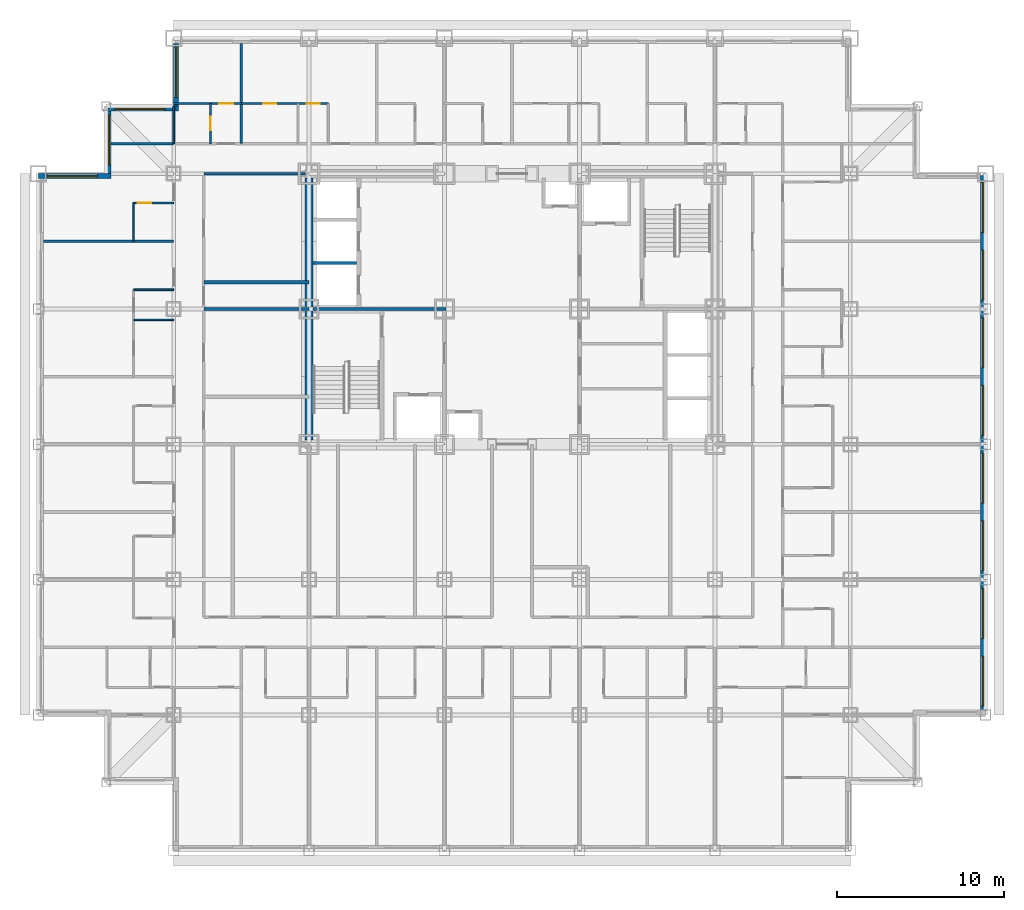
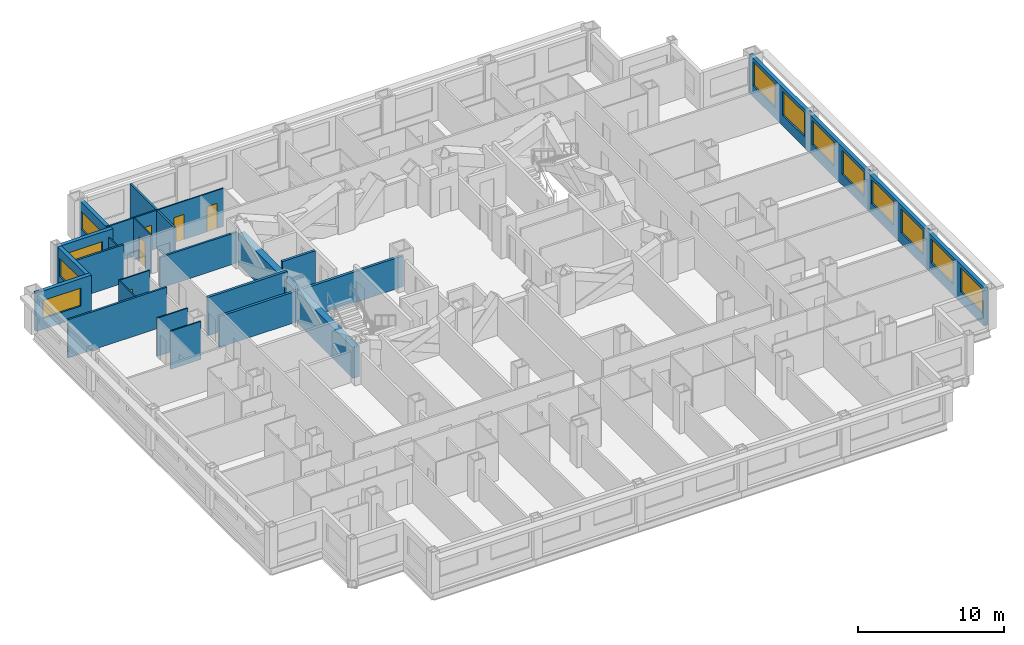
# One storey, part 8 of 12: 22 walls, 12 windows, 5 doors, 17 openings.
"""IFC4 building model written with IfcOpenShell, lengths in metres."""

import ifcopenshell
import ifcopenshell.guid

model = None  # the IFC model being written
_history = None  # IfcOwnerHistory: only IFC2X3 demands one
_inside = {}  # id of a spatial element -> (the spatial element, [elements in it])
_under = {}  # id of a project, library or spatial element -> (it, [spatial elements below it])
_declared = {}  # id of a project -> (the project, [libraries it declares])
_typed = {}  # id of a type object -> (the type object, [elements of that type])
_made_of = {}  # id of a material, layer set ... -> (it, [elements and type objects made of it])


def new_model(schema):
    """Start an empty IFC model of exactly this schema.

    Asked for "IFC4X3", IfcOpenShell would pick the latest addendum, in which some entities
    have other attributes; the version numbers below select the first issue.
    IFC2X3 requires an IfcOwnerHistory on every rooted entity: one is made here for all.
    """
    global model, _history
    if schema == "IFC4X3":
        model = ifcopenshell.file(schema_version=(4, 3, 0, 0))
    else:
        model = ifcopenshell.file(schema=schema)
    _inside.clear()
    _under.clear()
    _declared.clear()
    _typed.clear()
    _made_of.clear()
    _history = None
    if model.schema == "IFC2X3":
        org = make("IfcOrganization", Name="unknown")
        user = make(
            "IfcPersonAndOrganization",
            ThePerson=make("IfcPerson", FamilyName="unknown"),
            TheOrganization=org,
        )
        app = make(
            "IfcApplication",
            ApplicationDeveloper=org,
            Version="unknown",
            ApplicationFullName="unknown",
            ApplicationIdentifier="unknown",
        )
        _history = make(
            "IfcOwnerHistory",
            OwningUser=user,
            OwningApplication=app,
            ChangeAction="ADDED",
            CreationDate=0,
        )
    return model


def make(cls, **values):
    """One entity of the class cls with the attributes given. An attribute that is None is left unset."""
    return model.create_entity(
        cls, **{name: value for name, value in values.items() if value is not None}
    )


def rooted(cls, **values):
    """An entity with a GlobalId (a new one), such as an element, a storey or a relation."""
    return make(cls, GlobalId=ifcopenshell.guid.new(), OwnerHistory=_history, **values)


def si_unit(unit_type, name, prefix=None):
    """IfcSIUnit, for example si_unit("LENGTHUNIT", "METRE", prefix="MILLI")."""
    return make("IfcSIUnit", UnitType=unit_type, Prefix=prefix, Name=name)


def assignment(units):
    """IfcUnitAssignment: the units of a project."""
    return None if units is None else make("IfcUnitAssignment", Units=units)


def point(xyz):
    """IfcCartesianPoint."""
    return None if xyz is None else make("IfcCartesianPoint", Coordinates=xyz)


def direction(xyz):
    """IfcDirection."""
    return None if xyz is None else make("IfcDirection", DirectionRatios=xyz)


def frame(location, z_axis=None, x_axis=None):
    """IfcAxis2Placement3D, a coordinate frame: its origin and axes. An axis left out is left unset."""
    return make(
        "IfcAxis2Placement3D",
        Location=point(location),
        Axis=direction(z_axis),
        RefDirection=direction(x_axis),
    )


def frame_2d(location, x_axis=None):
    """IfcAxis2Placement2D, a coordinate frame in the plane: its origin and x axis."""
    return make(
        "IfcAxis2Placement2D", Location=point(location), RefDirection=direction(x_axis)
    )


def origin():
    """The frame at (0, 0, 0) with its axes left unset."""
    return frame((0.0, 0.0, 0.0))


def place(relative_to, where):
    """IfcLocalPlacement: puts the frame where relative to a parent placement (None: the world)."""
    return make(
        "IfcLocalPlacement", PlacementRelTo=relative_to, RelativePlacement=where
    )


def context(
    kind, dimensions, precision=None, world=None, true_north=None, identifier=None
):
    """IfcGeometricRepresentationContext, for example the 3D "Model" context."""
    return make(
        "IfcGeometricRepresentationContext",
        ContextIdentifier=identifier,
        ContextType=kind,
        CoordinateSpaceDimension=dimensions,
        Precision=precision,
        WorldCoordinateSystem=world,
        TrueNorth=true_north,
    )


def subcontext(parent, identifier, kind, view, scale=None):
    """IfcGeometricRepresentationSubContext, for example "Body" below "Model"."""
    return make(
        "IfcGeometricRepresentationSubContext",
        ContextIdentifier=identifier,
        ContextType=kind,
        ParentContext=parent,
        TargetScale=scale,
        TargetView=view,
    )


def project(units=None, contexts=None):
    """IfcProject with its units and contexts."""
    return rooted(
        "IfcProject",
        Name="project",
        RepresentationContexts=contexts,
        UnitsInContext=assignment(units),
    )


def spatial(cls, under=None, at=None, **own):
    """A site, building, storey or space (cls), placed at a placement, below another one or the project."""
    s = rooted(cls, ObjectPlacement=at, **own)
    if under is not None:
        _under.setdefault(under.id(), (under, []))[1].append(s)
    return s


def profile(cls, at=None, kind="AREA", **sizes):
    """A parametric profile (cls). Its sizes go by their IFC names, for example OverallWidth=200.0."""
    return make(cls, ProfileType=kind, Position=at, **sizes)


def rectangle(**sizes):
    """IfcRectangleProfileDef."""
    return profile("IfcRectangleProfileDef", **sizes)


def extrude(swept, where, along, depth):
    """IfcExtrudedAreaSolid: the profile swept, set in the frame where, extruded along a direction by depth."""
    return make(
        "IfcExtrudedAreaSolid",
        SweptArea=swept,
        Position=where,
        ExtrudedDirection=direction(along),
        Depth=depth,
    )


def shape(context_of_items, identifier, shape_type, items):
    """IfcShapeRepresentation: the items that make up one representation, for example the "Body"."""
    return make(
        "IfcShapeRepresentation",
        ContextOfItems=context_of_items,
        RepresentationIdentifier=identifier,
        RepresentationType=shape_type,
        Items=items,
    )


def material(Name=None, Category=None):
    """IfcMaterial."""
    return make("IfcMaterial", Name=Name, Category=Category)


def layer(
    of_material, thickness, ventilated=None, Name=None, Category=None, Priority=None
):
    """IfcMaterialLayer: one layer of a wall or slab, of a material (None: an air gap)."""
    return make(
        "IfcMaterialLayer",
        Material=of_material,
        LayerThickness=thickness,
        IsVentilated=ventilated,
        Name=Name,
        Category=Category,
        Priority=Priority,
    )


def layer_set(layers, Name=None):
    """IfcMaterialLayerSet."""
    return make("IfcMaterialLayerSet", MaterialLayers=layers, LayerSetName=Name)


def made_of(thing, what):
    """Note that an element or type object is made of a material, layer set ...; save() writes the relation."""
    if what is not None:
        _made_of.setdefault(what.id(), (what, []))[1].append(thing)
    return thing


def type_object(cls, material=None, **own):
    """A type object (cls), such as IfcWallType, which elements share."""
    return made_of(rooted(cls, **own), material)


def element(
    cls,
    number,
    at=None,
    inside=None,
    cuts=None,
    type_object=None,
    material=None,
    context=None,
    identifier="Body",
    shape_type=None,
    held_by="IfcProductDefinitionShape",
    body=None,
    shapes=None,
    **own,
):
    """One element of the class cls, such as IfcWall. Its Tag is "e" and its number.

    at: its placement. inside: the storey or other place that contains it. cuts: it is an
    opening in that element (IfcRelVoidsElement). A single representation is given by context,
    identifier, shape_type and body (its items); several are given by shapes. held_by: the class
    of the entity that holds the representations. save() writes the other relations.
    """
    e = rooted(cls, Tag="e%d" % number, ObjectPlacement=at, **own)
    if body is not None:
        shapes = [shape(context, identifier, shape_type, body)]
    if shapes is not None:
        e.Representation = make(held_by, Representations=shapes)
    if inside is not None:
        _inside.setdefault(inside.id(), (inside, []))[1].append(e)
    if cuts is not None:
        rooted(
            "IfcRelVoidsElement", RelatingBuildingElement=cuts, RelatedOpeningElement=e
        )
    if type_object is not None:
        _typed.setdefault(type_object.id(), (type_object, []))[1].append(e)
    return made_of(e, material)


def fill(opening, filler):
    """IfcRelFillsElement: the door or window that sits in an opening."""
    return rooted(
        "IfcRelFillsElement",
        RelatingOpeningElement=opening,
        RelatedBuildingElement=filler,
    )


def aggregate(whole, parts):
    """IfcRelAggregates: a whole, such as a stair, and the parts it consists of."""
    return rooted("IfcRelAggregates", RelatingObject=whole, RelatedObjects=parts)


def save(model, path):
    """Write the relations noted so far, then the file.

    IfcRelAggregates (storeys below a building ...), IfcRelContainedInSpatialStructure (elements
    in a storey), IfcRelDefinesByType, IfcRelAssociatesMaterial and IfcRelDeclares: one each for
    every whole, place, type object, material and project.
    """
    for whole, parts in _under.values():
        aggregate(whole, parts)
    for where, things in _inside.values():
        rooted(
            "IfcRelContainedInSpatialStructure",
            RelatedElements=things,
            RelatingStructure=where,
        )
    for kind, things in _typed.values():
        rooted("IfcRelDefinesByType", RelatedObjects=things, RelatingType=kind)
    for what, things in _made_of.values():
        rooted("IfcRelAssociatesMaterial", RelatedObjects=things, RelatingMaterial=what)
    for by, libraries in _declared.values():
        rooted("IfcRelDeclares", RelatingContext=by, RelatedDefinitions=libraries)
    model.write(path)


model = new_model("IFC4")

# Units and contexts
model_context = context("Model", 3, precision=1e-05, world=origin(), true_north=direction((0.0, 1.0)))
body_context = subcontext(model_context, "Body", "Model", "MODEL_VIEW")
ifc_project = project(units=[si_unit("LENGTHUNIT", "METRE"), si_unit("AREAUNIT", "SQUARE_METRE"), si_unit("VOLUMEUNIT", "CUBIC_METRE"), si_unit("PLANEANGLEUNIT", "RADIAN"), si_unit("MASSUNIT", "GRAM", prefix="KILO")], contexts=[model_context])

# Site, building, storey
site_placement = place(None, origin())
site = spatial("IfcSite", under=ifc_project, at=site_placement, CompositionType="ELEMENT")
building_placement = place(site_placement, origin())
building = spatial("IfcBuilding", under=site, at=building_placement, Name="Kopane Lantern Tower", CompositionType="ELEMENT")
storey_placement = place(building_placement, frame((0.0, 0.0, 70.39990234375)))
storey = spatial("IfcBuildingStorey", under=building, at=storey_placement, Name="L17", CompositionType="ELEMENT", Elevation=70.39990234375)

# Wall, opening, door
ifc_material_1 = material(Name="Gypsum board on steel studs", Category="steel")
ifc_layer_1 = layer(ifc_material_1, 0.1201171875)
ifc_layer_set_1 = layer_set([ifc_layer_1], Name="APARTMENT INTERNAL WALL 120")
wall_type_1 = type_object("IfcWallType", Name="APARTMENT INTERNAL WALL 120", PredefinedType="PARTITIONING", material=ifc_layer_set_1)
wall_1_placement = place(storey_placement, frame((8.10009765625, 44.699951171875, 0.0), z_axis=(0.0, 0.0, 1.0), x_axis=(1.0, 0.0, 0.0)))
wall_1 = element("IfcWall", 1, at=wall_1_placement, inside=storey, type_object=wall_type_1, Name="Apartment Internal Wall 120 L17", PredefinedType="PARTITIONING", context=body_context, shape_type="SweptSolid", body=[
    extrude(rectangle(XDim=4.0498046875, YDim=0.1201171875, at=frame_2d((2.02490234375, 0.0))), origin(), (0.0, 0.0, 1.0), 3.190185546875),
])
opening_1_placement = place(wall_1_placement, frame((2.72509765625, 0.0, 0.0)))
opening_1 = element("IfcOpeningElement", 2, at=opening_1_placement, cuts=wall_1, Name="Opening L17-082", PredefinedType="OPENING", context=body_context, shape_type="SweptSolid", body=[
    extrude(rectangle(XDim=0.85009765625, YDim=2.10009765625, at=frame_2d((0.425048828125, 1.050048828125))), frame((0.0, 0.070068359375, 0.0), z_axis=(0.0, -1.0, 0.0), x_axis=(1.0, 0.0, 0.0)), (0.0, 0.0, 1.0), 0.14013671875),
])
ifc_material_2 = material(Name="Timber door set", Category="wood")
door_type_1 = type_object("IfcDoorType", Name="DOOR D4 850x2100", OperationType="SINGLE_SWING_LEFT", PredefinedType="DOOR", material=ifc_material_2)
door_1_placement = place(opening_1_placement, origin())
door_1 = element("IfcDoor", 3, at=door_1_placement, inside=storey, type_object=door_type_1, Name="Door L17-082", OperationType="SINGLE_SWING_LEFT", OverallHeight=2.10009765625, OverallWidth=0.85009765625, PredefinedType="DOOR", context=body_context, shape_type="SweptSolid", body=[
    extrude(rectangle(XDim=0.85009765625, YDim=2.10009765625, at=frame_2d((0.425048828125, 1.050048828125))), frame((0.0, 0.02490234375, 0.0), z_axis=(0.0, -1.0, 0.0), x_axis=(1.0, 0.0, 0.0)), (0.0, 0.0, 1.0), 0.050048828125),
])
fill(opening_1, door_1)

# Wall, openings, doors
ifc_material_3 = material(Name="Moisture-resistant board on steel studs", Category="steel")
ifc_layer_2 = layer(ifc_material_3, 0.10009765625)
ifc_layer_set_2 = layer_set([ifc_layer_2], Name="BATHROOM WALL 100")
wall_type_2 = type_object("IfcWallType", Name="BATHROOM WALL 100", PredefinedType="PARTITIONING", material=ifc_layer_set_2)
wall_2_placement = place(storey_placement, frame((12.14990234375, 44.699951171875, 0.0), z_axis=(0.0, 0.0, 1.0), x_axis=(1.0, 0.0, 0.0)))
wall_2 = element("IfcWall", 4, at=wall_2_placement, inside=storey, type_object=wall_type_2, Name="Bathroom Wall 100 L17", PredefinedType="PARTITIONING", context=body_context, shape_type="SweptSolid", body=[
    extrude(rectangle(XDim=5.2001953125, YDim=0.10009765625, at=frame_2d((2.60009765625, 0.0))), origin(), (0.0, 0.0, 1.0), 3.190185546875),
])
opening_2_placement = place(wall_2_placement, frame((1.300048828125, 0.0, 0.0)))
opening_2 = element("IfcOpeningElement", 5, at=opening_2_placement, cuts=wall_2, Name="Opening L17-029", PredefinedType="OPENING", context=body_context, shape_type="SweptSolid", body=[
    extrude(rectangle(XDim=0.800048828125, YDim=2.10009765625, at=frame_2d((0.39990234375, 1.050048828125))), frame((0.0, 0.06005859375, 0.0), z_axis=(0.0, -1.0, 0.0), x_axis=(1.0, 0.0, 0.0)), (0.0, 0.0, 1.0), 0.1201171875),
])
opening_3_placement = place(wall_2_placement, frame((3.89990234375, 0.0, 0.0)))
opening_3 = element("IfcOpeningElement", 6, at=opening_3_placement, cuts=wall_2, Name="Opening L17-030", PredefinedType="OPENING", context=body_context, shape_type="SweptSolid", body=[
    extrude(rectangle(XDim=0.800048828125, YDim=2.10009765625, at=frame_2d((0.39990234375, 1.050048828125))), frame((0.0, 0.06005859375, 0.0), z_axis=(0.0, -1.0, 0.0), x_axis=(1.0, 0.0, 0.0)), (0.0, 0.0, 1.0), 0.1201171875),
])
ifc_material_4 = material(Name="Timber door set", Category="wood")
door_type_2 = type_object("IfcDoorType", Name="DOOR D2 800x2100", OperationType="SINGLE_SWING_LEFT", PredefinedType="DOOR", material=ifc_material_4)
door_2_placement = place(opening_2_placement, origin())
door_2 = element("IfcDoor", 7, at=door_2_placement, inside=storey, type_object=door_type_2, Name="Door L17-029", OperationType="SINGLE_SWING_LEFT", OverallHeight=2.10009765625, OverallWidth=0.800048828125, PredefinedType="DOOR", context=body_context, shape_type="SweptSolid", body=[
    extrude(rectangle(XDim=0.800048828125, YDim=2.10009765625, at=frame_2d((0.39990234375, 1.050048828125))), frame((0.0, 0.02490234375, 0.0), z_axis=(0.0, -1.0, 0.0), x_axis=(1.0, 0.0, 0.0)), (0.0, 0.0, 1.0), 0.050048828125),
])
fill(opening_2, door_2)
door_3_placement = place(opening_3_placement, origin())
door_3 = element("IfcDoor", 8, at=door_3_placement, inside=storey, type_object=door_type_2, Name="Door L17-030", OperationType="SINGLE_SWING_LEFT", OverallHeight=2.10009765625, OverallWidth=0.800048828125, PredefinedType="DOOR", context=body_context, shape_type="SweptSolid", body=[
    extrude(rectangle(XDim=0.800048828125, YDim=2.10009765625, at=frame_2d((0.39990234375, 1.050048828125))), frame((0.0, 0.02490234375, 0.0), z_axis=(0.0, -1.0, 0.0), x_axis=(1.0, 0.0, 0.0)), (0.0, 0.0, 1.0), 0.050048828125),
])
fill(opening_3, door_3)

# Walls
for number, where, z_axis, x_axis, name in (
    (9, (8.10009765625, 31.75, 0.0), (0.0, 0.0, 1.0), (-1.0, 0.0, 0.0), "Bathroom Wall 100 L17"),
    (10, (8.10009765625, 33.550048828125, 0.0), (0.0, 0.0, 1.0), (-1.0, 0.0, 0.0), "Bathroom Wall 100 L17"),
):
    element("IfcWall", number, at=place(storey_placement, frame(where, z_axis=z_axis, x_axis=x_axis)), inside=storey, type_object=wall_type_2, Name=name, PredefinedType="PARTITIONING", context=body_context, shape_type="SweptSolid", body=[
        extrude(rectangle(XDim=2.400146484375, YDim=0.10009765625, at=frame_2d((1.2001953125, 0.0))), origin(), (0.0, 0.0, 1.0), 3.190185546875),
    ])
wall_3_placement = place(storey_placement, frame((5.699951171875, 36.449951171875, 0.0), z_axis=(0.0, 0.0, 1.0), x_axis=(0.0, 1.0, 0.0)))
element("IfcWall", 11, at=wall_3_placement, inside=storey, type_object=wall_type_2, Name="Bathroom Wall 100 L17", PredefinedType="PARTITIONING", context=body_context, shape_type="SweptSolid", body=[
    extrude(rectangle(XDim=2.300048828125, YDim=0.10009765625, at=frame_2d((1.14990234375, 0.0))), origin(), (0.0, 0.0, 1.0), 3.190185546875),
])

# Wall, opening, door
wall_4_placement = place(storey_placement, frame((8.10009765625, 38.75, 0.0), z_axis=(0.0, 0.0, 1.0), x_axis=(-1.0, 0.0, 0.0)))
wall_4 = element("IfcWall", 12, at=wall_4_placement, inside=storey, type_object=wall_type_2, Name="Bathroom Wall 100 L17", PredefinedType="PARTITIONING", context=body_context, shape_type="SweptSolid", body=[
    extrude(rectangle(XDim=2.400146484375, YDim=0.10009765625, at=frame_2d((1.2001953125, 0.0))), origin(), (0.0, 0.0, 1.0), 3.190185546875),
])
opening_4_placement = place(wall_4_placement, frame((1.35009765625, 0.0, 0.0)))
opening_4 = element("IfcOpeningElement", 13, at=opening_4_placement, cuts=wall_4, Name="Opening L17-052", PredefinedType="OPENING", context=body_context, shape_type="SweptSolid", body=[
    extrude(rectangle(XDim=0.800048828125, YDim=2.10009765625, at=frame_2d((0.39990234375, 1.050048828125))), frame((0.0, 0.06005859375, 0.0), z_axis=(0.0, -1.0, 0.0), x_axis=(1.0, 0.0, 0.0)), (0.0, 0.0, 1.0), 0.1201171875),
])
door_4_placement = place(opening_4_placement, origin())
door_4 = element("IfcDoor", 14, at=door_4_placement, inside=storey, type_object=door_type_2, Name="Door L17-052", OperationType="SINGLE_SWING_RIGHT", OverallHeight=2.10009765625, OverallWidth=0.800048828125, PredefinedType="DOOR", context=body_context, shape_type="SweptSolid", body=[
    extrude(rectangle(XDim=0.800048828125, YDim=2.10009765625, at=frame_2d((0.39990234375, 1.050048828125))), frame((0.0, 0.02490234375, 0.0), z_axis=(0.0, -1.0, 0.0), x_axis=(1.0, 0.0, 0.0)), (0.0, 0.0, 1.0), 0.050048828125),
])
fill(opening_4, door_4)

wall_5_placement = place(storey_placement, frame((10.300048828125, 42.300048828125, 0.0), z_axis=(0.0, 0.0, 1.0), x_axis=(0.0, 1.0, 0.0)))
wall_5 = element("IfcWall", 15, at=wall_5_placement, inside=storey, type_object=wall_type_2, Name="Bathroom Wall 100 L17", PredefinedType="PARTITIONING", context=body_context, shape_type="SweptSolid", body=[
    extrude(rectangle(XDim=2.39990234375, YDim=0.10009765625, at=frame_2d((1.199951171875, 0.0))), origin(), (0.0, 0.0, 1.0), 3.190185546875),
])
opening_5_placement = place(wall_5_placement, frame((0.800048828125, 0.0, 0.0)))
opening_5 = element("IfcOpeningElement", 16, at=opening_5_placement, cuts=wall_5, Name="Opening L17-080", PredefinedType="OPENING", context=body_context, shape_type="SweptSolid", body=[
    extrude(rectangle(XDim=0.800048828125, YDim=2.10009765625, at=frame_2d((0.39990234375, 1.050048828125))), frame((0.0, 0.06005859375, 0.0), z_axis=(0.0, -1.0, 0.0), x_axis=(1.0, 0.0, 0.0)), (0.0, 0.0, 1.0), 0.1201171875),
])
door_5_placement = place(opening_5_placement, origin())
door_5 = element("IfcDoor", 17, at=door_5_placement, inside=storey, type_object=door_type_2, Name="Door L17-080", OperationType="SINGLE_SWING_LEFT", OverallHeight=2.10009765625, OverallWidth=0.800048828125, PredefinedType="DOOR", context=body_context, shape_type="SweptSolid", body=[
    extrude(rectangle(XDim=0.800048828125, YDim=2.10009765625, at=frame_2d((0.39990234375, 1.050048828125))), frame((0.0, 0.02490234375, 0.0), z_axis=(0.0, -1.0, 0.0), x_axis=(1.0, 0.0, 0.0)), (0.0, 0.0, 1.0), 0.050048828125),
])
fill(opening_5, door_5)

# Walls
wall_6_placement = place(storey_placement, frame((8.10009765625, 42.300048828125, 0.0), z_axis=(0.0, 0.0, 1.0), x_axis=(0.0, 1.0, 0.0)))
element("IfcWall", 18, at=wall_6_placement, inside=storey, type_object=wall_type_2, Name="Bathroom Wall 100 L17", PredefinedType="PARTITIONING", context=body_context, shape_type="SweptSolid", body=[
    extrude(rectangle(XDim=2.25, YDim=0.10009765625, at=frame_2d((1.125, 0.0))), origin(), (0.0, 0.0, 1.0), 2.577880859375),
])
ifc_material_5 = material(Name="Gypsum shaft wall EI 120", Category="gypsum")
ifc_layer_3 = layer(ifc_material_5, 0.5)
ifc_layer_set_3 = layer_set([ifc_layer_3], Name="CORE PERIMETER WALL 500 EI 120")
wall_type_3 = type_object("IfcWallType", Name="CORE PERIMETER WALL 500 EI 120", PredefinedType="SOLIDWALL", material=ifc_layer_set_3)
wall_7_placement = place(storey_placement, frame((16.199951171875, 24.550048828125, 0.0), z_axis=(0.0, 0.0, 1.0), x_axis=(0.0, 1.0, 0.0)))
element("IfcWall", 19, at=wall_7_placement, inside=storey, type_object=wall_type_3, Name="Core shaft wall L17 PW", PredefinedType="SOLIDWALL", context=body_context, shape_type="SweptSolid", body=[
    extrude(rectangle(XDim=15.699951171875, YDim=0.5, at=frame_2d((7.85009765625, 0.0))), origin(), (0.0, 0.0, 1.0), 2.577880859375),
])
ifc_material_6 = material(Name="Gypsum board on steel studs", Category="steel")
ifc_layer_4 = layer(ifc_material_6, 0.14990234375)
ifc_layer_set_4 = layer_set([ifc_layer_4], Name="CORRIDOR WALL 150 EI 60")
wall_type_4 = type_object("IfcWallType", Name="CORRIDOR WALL 150 EI 60", PredefinedType="PARTITIONING", material=ifc_layer_set_4)
wall_8_placement = place(storey_placement, frame((16.0, 40.5, 0.0), z_axis=(0.0, 0.0, 1.0), x_axis=(-1.0, 0.0, 0.0)))
element("IfcWall", 20, at=wall_8_placement, inside=storey, type_object=wall_type_4, Name="Corridor Wall 150 Ei 60 L17", PredefinedType="PARTITIONING", context=body_context, shape_type="SweptSolid", body=[
    extrude(rectangle(XDim=6.10009765625, YDim=0.14990234375, at=frame_2d((3.050048828125, 0.0))), origin(), (0.0, 0.0, 1.0), 2.577880859375),
])
ifc_material_7 = material(Name="Gypsum board on steel studs", Category="steel")
ifc_layer_5 = layer(ifc_material_7, 0.14990234375)
ifc_layer_set_5 = layer_set([ifc_layer_5], Name="DEMISING WALL 150 EI 60")
wall_type_5 = type_object("IfcWallType", Name="DEMISING WALL 150 EI 60", PredefinedType="PARTITIONING", material=ifc_layer_set_5)
wall_9_placement = place(storey_placement, frame((8.10009765625, 36.449951171875, 0.0), z_axis=(0.0, 0.0, 1.0), x_axis=(-1.0, 0.0, 0.0)))
element("IfcWall", 21, at=wall_9_placement, inside=storey, type_object=wall_type_5, Name="Demising Wall 150 Ei 60 L17", PredefinedType="PARTITIONING", context=body_context, shape_type="SweptSolid", body=[
    extrude(rectangle(XDim=7.800048828125, YDim=0.14990234375, at=frame_2d((3.89990234375, 0.0))), origin(), (0.0, 0.0, 1.0), 3.190185546875),
])
wall_10_placement = place(storey_placement, frame((4.35009765625, 42.300048828125, 0.0), z_axis=(0.0, 0.0, 1.0), x_axis=(1.0, 0.0, 0.0)))
element("IfcWall", 22, at=wall_10_placement, inside=storey, type_object=wall_type_5, Name="Demising Wall 150 Ei 60 L17", PredefinedType="PARTITIONING", context=body_context, shape_type="SweptSolid", body=[
    extrude(rectangle(XDim=3.75, YDim=0.14990234375, at=frame_2d((1.875, 0.0))), origin(), (0.0, 0.0, 1.0), 3.190185546875),
])
wall_11_placement = place(storey_placement, frame((12.14990234375, 42.300048828125, 0.0), z_axis=(0.0, 0.0, 1.0), x_axis=(0.0, 1.0, 0.0)))
element("IfcWall", 23, at=wall_11_placement, inside=storey, type_object=wall_type_5, Name="Demising Wall 150 Ei 60 L17", PredefinedType="PARTITIONING", context=body_context, shape_type="SweptSolid", body=[
    extrude(rectangle(XDim=6.0, YDim=0.14990234375, at=frame_2d((3.0, 0.0))), origin(), (0.0, 0.0, 1.0), 3.190185546875),
])

# Wall, openings, windows
ifc_material_8 = material(Name="Terracotta rainscreen on light steel framing", Category="masonry")
ifc_layer_6 = layer(ifc_material_8, 0.300048828125)
ifc_layer_set_6 = layer_set([ifc_layer_6], Name="EXTERNAL WALL EW1 300 TERRACOTTA")
wall_type_6 = type_object("IfcWallType", Name="EXTERNAL WALL EW1 300 TERRACOTTA", PredefinedType="SOLIDWALL", material=ifc_layer_set_6)
wall_12_placement = place(storey_placement, frame((56.550048828125, 8.39990234375, 0.0), z_axis=(0.0, 0.0, 1.0), x_axis=(0.0, 1.0, 0.0)))
wall_12 = element("IfcWall", 24, at=wall_12_placement, inside=storey, type_object=wall_type_6, Name="External wall E L17", PredefinedType="SOLIDWALL", context=body_context, shape_type="SweptSolid", body=[
    extrude(rectangle(XDim=32.10009765625, YDim=0.300048828125, at=frame_2d((16.050048828125, 0.0))), origin(), (0.0, 0.0, 1.0), 3.190185546875),
])
opening_6_placement = place(wall_12_placement, frame((0.22509765625, 0.0, 0.89990234375)))
opening_6 = element("IfcOpeningElement", 25, at=opening_6_placement, cuts=wall_12, Name="Opening WR300200", PredefinedType="OPENING", context=body_context, shape_type="SweptSolid", body=[
    extrude(rectangle(XDim=3.0, YDim=2.0, at=frame_2d((1.5, 1.0))), frame((0.0, 0.159912109375, 0.0), z_axis=(0.0, -1.0, 0.0), x_axis=(1.0, 0.0, 0.0)), (0.0, 0.0, 1.0), 0.320068359375),
])
opening_7_placement = place(wall_12_placement, frame((4.27490234375, 0.0, 0.89990234375)))
opening_7 = element("IfcOpeningElement", 26, at=opening_7_placement, cuts=wall_12, Name="Opening WR300200", PredefinedType="OPENING", context=body_context, shape_type="SweptSolid", body=[
    extrude(rectangle(XDim=3.0, YDim=2.0, at=frame_2d((1.5, 1.0))), frame((0.0, 0.159912109375, 0.0), z_axis=(0.0, -1.0, 0.0), x_axis=(1.0, 0.0, 0.0)), (0.0, 0.0, 1.0), 0.320068359375),
])
opening_8_placement = place(wall_12_placement, frame((8.324951171875, 0.0, 0.89990234375)))
opening_8 = element("IfcOpeningElement", 27, at=opening_8_placement, cuts=wall_12, Name="Opening WR300200", PredefinedType="OPENING", context=body_context, shape_type="SweptSolid", body=[
    extrude(rectangle(XDim=3.0, YDim=2.0, at=frame_2d((1.5, 1.0))), frame((0.0, 0.159912109375, 0.0), z_axis=(0.0, -1.0, 0.0), x_axis=(1.0, 0.0, 0.0)), (0.0, 0.0, 1.0), 0.320068359375),
])
opening_9_placement = place(wall_12_placement, frame((12.375, 0.0, 0.89990234375)))
opening_9 = element("IfcOpeningElement", 28, at=opening_9_placement, cuts=wall_12, Name="Opening WR300200", PredefinedType="OPENING", context=body_context, shape_type="SweptSolid", body=[
    extrude(rectangle(XDim=3.0, YDim=2.0, at=frame_2d((1.5, 1.0))), frame((0.0, 0.159912109375, 0.0), z_axis=(0.0, -1.0, 0.0), x_axis=(1.0, 0.0, 0.0)), (0.0, 0.0, 1.0), 0.320068359375),
])
opening_10_placement = place(wall_12_placement, frame((16.425048828125, 0.0, 0.89990234375)))
opening_10 = element("IfcOpeningElement", 29, at=opening_10_placement, cuts=wall_12, Name="Opening WR300200", PredefinedType="OPENING", context=body_context, shape_type="SweptSolid", body=[
    extrude(rectangle(XDim=3.0, YDim=2.0, at=frame_2d((1.5, 1.0))), frame((0.0, 0.159912109375, 0.0), z_axis=(0.0, -1.0, 0.0), x_axis=(1.0, 0.0, 0.0)), (0.0, 0.0, 1.0), 0.320068359375),
])
opening_11_placement = place(wall_12_placement, frame((20.47509765625, 0.0, 0.89990234375)))
opening_11 = element("IfcOpeningElement", 30, at=opening_11_placement, cuts=wall_12, Name="Opening WR300200", PredefinedType="OPENING", context=body_context, shape_type="SweptSolid", body=[
    extrude(rectangle(XDim=3.0, YDim=2.0, at=frame_2d((1.5, 1.0))), frame((0.0, 0.159912109375, 0.0), z_axis=(0.0, -1.0, 0.0), x_axis=(1.0, 0.0, 0.0)), (0.0, 0.0, 1.0), 0.320068359375),
])
opening_12_placement = place(wall_12_placement, frame((24.52490234375, 0.0, 0.89990234375)))
opening_12 = element("IfcOpeningElement", 31, at=opening_12_placement, cuts=wall_12, Name="Opening WR300200", PredefinedType="OPENING", context=body_context, shape_type="SweptSolid", body=[
    extrude(rectangle(XDim=3.0, YDim=2.0, at=frame_2d((1.5, 1.0))), frame((0.0, 0.159912109375, 0.0), z_axis=(0.0, -1.0, 0.0), x_axis=(1.0, 0.0, 0.0)), (0.0, 0.0, 1.0), 0.320068359375),
])
opening_13_placement = place(wall_12_placement, frame((28.574951171875, 0.0, 0.89990234375)))
opening_13 = element("IfcOpeningElement", 32, at=opening_13_placement, cuts=wall_12, Name="Opening WR300200", PredefinedType="OPENING", context=body_context, shape_type="SweptSolid", body=[
    extrude(rectangle(XDim=3.0, YDim=2.0, at=frame_2d((1.5, 1.0))), frame((0.0, 0.159912109375, 0.0), z_axis=(0.0, -1.0, 0.0), x_axis=(1.0, 0.0, 0.0)), (0.0, 0.0, 1.0), 0.320068359375),
])
ifc_material_9 = material(Name="Aluminium and clear glass", Category="aluminium")
window_type_1 = type_object("IfcWindowType", Name="RIBBON WINDOW WR300200 3000x2000", PartitioningType="SINGLE_PANEL", PredefinedType="WINDOW", material=ifc_material_9)
window_1_placement = place(opening_6_placement, origin())
window_1 = element("IfcWindow", 33, at=window_1_placement, inside=storey, type_object=window_type_1, Name="Window E L17", OverallHeight=2.0, OverallWidth=3.0, PartitioningType="SINGLE_PANEL", PredefinedType="WINDOW", context=body_context, shape_type="SweptSolid", body=[
    extrude(rectangle(XDim=3.0, YDim=2.0, at=frame_2d((1.5, 1.0))), frame((0.0, 0.030029296875, 0.0), z_axis=(0.0, -1.0, 0.0), x_axis=(1.0, 0.0, 0.0)), (0.0, 0.0, 1.0), 0.06005859375),
])
fill(opening_6, window_1)
window_2_placement = place(opening_7_placement, origin())
window_2 = element("IfcWindow", 34, at=window_2_placement, inside=storey, type_object=window_type_1, Name="Window E L17", OverallHeight=2.0, OverallWidth=3.0, PartitioningType="SINGLE_PANEL", PredefinedType="WINDOW", context=body_context, shape_type="SweptSolid", body=[
    extrude(rectangle(XDim=3.0, YDim=2.0, at=frame_2d((1.5, 1.0))), frame((0.0, 0.030029296875, 0.0), z_axis=(0.0, -1.0, 0.0), x_axis=(1.0, 0.0, 0.0)), (0.0, 0.0, 1.0), 0.06005859375),
])
fill(opening_7, window_2)
window_3_placement = place(opening_8_placement, origin())
window_3 = element("IfcWindow", 35, at=window_3_placement, inside=storey, type_object=window_type_1, Name="Window E L17", OverallHeight=2.0, OverallWidth=3.0, PartitioningType="SINGLE_PANEL", PredefinedType="WINDOW", context=body_context, shape_type="SweptSolid", body=[
    extrude(rectangle(XDim=3.0, YDim=2.0, at=frame_2d((1.5, 1.0))), frame((0.0, 0.030029296875, 0.0), z_axis=(0.0, -1.0, 0.0), x_axis=(1.0, 0.0, 0.0)), (0.0, 0.0, 1.0), 0.06005859375),
])
fill(opening_8, window_3)
window_4_placement = place(opening_9_placement, origin())
window_4 = element("IfcWindow", 36, at=window_4_placement, inside=storey, type_object=window_type_1, Name="Window E L17", OverallHeight=2.0, OverallWidth=3.0, PartitioningType="SINGLE_PANEL", PredefinedType="WINDOW", context=body_context, shape_type="SweptSolid", body=[
    extrude(rectangle(XDim=3.0, YDim=2.0, at=frame_2d((1.5, 1.0))), frame((0.0, 0.030029296875, 0.0), z_axis=(0.0, -1.0, 0.0), x_axis=(1.0, 0.0, 0.0)), (0.0, 0.0, 1.0), 0.06005859375),
])
fill(opening_9, window_4)
window_5_placement = place(opening_10_placement, origin())
window_5 = element("IfcWindow", 37, at=window_5_placement, inside=storey, type_object=window_type_1, Name="Window E L17", OverallHeight=2.0, OverallWidth=3.0, PartitioningType="SINGLE_PANEL", PredefinedType="WINDOW", context=body_context, shape_type="SweptSolid", body=[
    extrude(rectangle(XDim=3.0, YDim=2.0, at=frame_2d((1.5, 1.0))), frame((0.0, 0.030029296875, 0.0), z_axis=(0.0, -1.0, 0.0), x_axis=(1.0, 0.0, 0.0)), (0.0, 0.0, 1.0), 0.06005859375),
])
fill(opening_10, window_5)
window_6_placement = place(opening_11_placement, origin())
window_6 = element("IfcWindow", 38, at=window_6_placement, inside=storey, type_object=window_type_1, Name="Window E L17", OverallHeight=2.0, OverallWidth=3.0, PartitioningType="SINGLE_PANEL", PredefinedType="WINDOW", context=body_context, shape_type="SweptSolid", body=[
    extrude(rectangle(XDim=3.0, YDim=2.0, at=frame_2d((1.5, 1.0))), frame((0.0, 0.030029296875, 0.0), z_axis=(0.0, -1.0, 0.0), x_axis=(1.0, 0.0, 0.0)), (0.0, 0.0, 1.0), 0.06005859375),
])
fill(opening_11, window_6)
window_7_placement = place(opening_12_placement, origin())
window_7 = element("IfcWindow", 39, at=window_7_placement, inside=storey, type_object=window_type_1, Name="Window E L17", OverallHeight=2.0, OverallWidth=3.0, PartitioningType="SINGLE_PANEL", PredefinedType="WINDOW", context=body_context, shape_type="SweptSolid", body=[
    extrude(rectangle(XDim=3.0, YDim=2.0, at=frame_2d((1.5, 1.0))), frame((0.0, 0.030029296875, 0.0), z_axis=(0.0, -1.0, 0.0), x_axis=(1.0, 0.0, 0.0)), (0.0, 0.0, 1.0), 0.06005859375),
])
fill(opening_12, window_7)
window_8_placement = place(opening_13_placement, origin())
window_8 = element("IfcWindow", 40, at=window_8_placement, inside=storey, type_object=window_type_1, Name="Window E L17", OverallHeight=2.0, OverallWidth=3.0, PartitioningType="SINGLE_PANEL", PredefinedType="WINDOW", context=body_context, shape_type="SweptSolid", body=[
    extrude(rectangle(XDim=3.0, YDim=2.0, at=frame_2d((1.5, 1.0))), frame((0.0, 0.030029296875, 0.0), z_axis=(0.0, -1.0, 0.0), x_axis=(1.0, 0.0, 0.0)), (0.0, 0.0, 1.0), 0.06005859375),
])
fill(opening_13, window_8)

# Wall, opening, window
wall_13_placement = place(storey_placement, frame((8.25, 48.300048828125, 0.0), z_axis=(0.0, 0.0, 1.0), x_axis=(0.0, -1.0, 0.0)))
wall_13 = element("IfcWall", 41, at=wall_13_placement, inside=storey, type_object=wall_type_6, Name="External wall W L17", PredefinedType="SOLIDWALL", context=body_context, shape_type="SweptSolid", body=[
    extrude(rectangle(XDim=3.75, YDim=0.300048828125, at=frame_2d((1.875, 0.0))), origin(), (0.0, 0.0, 1.0), 3.190185546875),
])
opening_14_placement = place(wall_13_placement, frame((0.22509765625, 0.0, 0.89990234375)))
opening_14 = element("IfcOpeningElement", 42, at=opening_14_placement, cuts=wall_13, Name="Opening WR300150", PredefinedType="OPENING", context=body_context, shape_type="SweptSolid", body=[
    extrude(rectangle(XDim=3.0, YDim=1.5, at=frame_2d((1.5, 0.75))), frame((0.0, 0.159912109375, 0.0), z_axis=(0.0, -1.0, 0.0), x_axis=(1.0, 0.0, 0.0)), (0.0, 0.0, 1.0), 0.320068359375),
])
ifc_material_10 = material(Name="Aluminium and clear glass", Category="aluminium")
window_type_2 = type_object("IfcWindowType", Name="RIBBON WINDOW WR300150 3000x1500", PartitioningType="SINGLE_PANEL", PredefinedType="WINDOW", material=ifc_material_10)
window_9_placement = place(opening_14_placement, origin())
window_9 = element("IfcWindow", 43, at=window_9_placement, inside=storey, type_object=window_type_2, Name="Window W L17", OverallHeight=1.5, OverallWidth=3.0, PartitioningType="SINGLE_PANEL", PredefinedType="WINDOW", context=body_context, shape_type="SweptSolid", body=[
    extrude(rectangle(XDim=3.0, YDim=1.5, at=frame_2d((1.5, 0.75))), frame((0.0, 0.030029296875, 0.0), z_axis=(0.0, -1.0, 0.0), x_axis=(1.0, 0.0, 0.0)), (0.0, 0.0, 1.0), 0.06005859375),
])
fill(opening_14, window_9)

wall_14_placement = place(storey_placement, frame((8.39990234375, 44.39990234375, 0.0), z_axis=(0.0, 0.0, 1.0), x_axis=(-1.0, 0.0, 0.0)))
wall_14 = element("IfcWall", 44, at=wall_14_placement, inside=storey, type_object=wall_type_6, Name="External wall N L17", PredefinedType="SOLIDWALL", context=body_context, shape_type="SweptSolid", body=[
    extrude(rectangle(XDim=4.349853515625, YDim=0.300048828125, at=frame_2d((2.1748046875, 0.0))), origin(), (0.0, 0.0, 1.0), 3.190185546875),
])
opening_15_placement = place(wall_14_placement, frame((0.824951171875, 0.0, 0.89990234375)))
opening_15 = element("IfcOpeningElement", 45, at=opening_15_placement, cuts=wall_14, Name="Opening WR300150", PredefinedType="OPENING", context=body_context, shape_type="SweptSolid", body=[
    extrude(rectangle(XDim=3.0, YDim=1.5, at=frame_2d((1.5, 0.75))), frame((0.0, 0.159912109375, 0.0), z_axis=(0.0, -1.0, 0.0), x_axis=(1.0, 0.0, 0.0)), (0.0, 0.0, 1.0), 0.320068359375),
])
window_10_placement = place(opening_15_placement, origin())
window_10 = element("IfcWindow", 46, at=window_10_placement, inside=storey, type_object=window_type_2, Name="Window N L17", OverallHeight=1.5, OverallWidth=3.0, PartitioningType="SINGLE_PANEL", PredefinedType="WINDOW", context=body_context, shape_type="SweptSolid", body=[
    extrude(rectangle(XDim=3.0, YDim=1.5, at=frame_2d((1.5, 0.75))), frame((0.0, 0.030029296875, 0.0), z_axis=(0.0, -1.0, 0.0), x_axis=(1.0, 0.0, 0.0)), (0.0, 0.0, 1.0), 0.06005859375),
])
fill(opening_15, window_10)

wall_15_placement = place(storey_placement, frame((4.199951171875, 44.25, 0.0), z_axis=(0.0, 0.0, 1.0), x_axis=(0.0, -1.0, 0.0)))
wall_15 = element("IfcWall", 47, at=wall_15_placement, inside=storey, type_object=wall_type_6, Name="External wall W L17", PredefinedType="SOLIDWALL", context=body_context, shape_type="SweptSolid", body=[
    extrude(rectangle(XDim=3.75, YDim=0.300048828125, at=frame_2d((1.875, 0.0))), origin(), (0.0, 0.0, 1.0), 3.190185546875),
])
opening_16_placement = place(wall_15_placement, frame((0.22509765625, 0.0, 0.89990234375)))
opening_16 = element("IfcOpeningElement", 48, at=opening_16_placement, cuts=wall_15, Name="Opening WR300150", PredefinedType="OPENING", context=body_context, shape_type="SweptSolid", body=[
    extrude(rectangle(XDim=3.0, YDim=1.5, at=frame_2d((1.5, 0.75))), frame((0.0, 0.159912109375, 0.0), z_axis=(0.0, -1.0, 0.0), x_axis=(1.0, 0.0, 0.0)), (0.0, 0.0, 1.0), 0.320068359375),
])
window_11_placement = place(opening_16_placement, origin())
window_11 = element("IfcWindow", 49, at=window_11_placement, inside=storey, type_object=window_type_2, Name="Window W L17", OverallHeight=1.5, OverallWidth=3.0, PartitioningType="SINGLE_PANEL", PredefinedType="WINDOW", context=body_context, shape_type="SweptSolid", body=[
    extrude(rectangle(XDim=3.0, YDim=1.5, at=frame_2d((1.5, 0.75))), frame((0.0, 0.030029296875, 0.0), z_axis=(0.0, -1.0, 0.0), x_axis=(1.0, 0.0, 0.0)), (0.0, 0.0, 1.0), 0.06005859375),
])
fill(opening_16, window_11)

wall_16_placement = place(storey_placement, frame((4.35009765625, 40.35009765625, 0.0), z_axis=(0.0, 0.0, 1.0), x_axis=(-1.0, 0.0, 0.0)))
wall_16 = element("IfcWall", 50, at=wall_16_placement, inside=storey, type_object=wall_type_6, Name="External wall N L17", PredefinedType="SOLIDWALL", context=body_context, shape_type="SweptSolid", body=[
    extrude(rectangle(XDim=4.35009765625, YDim=0.300048828125, at=frame_2d((2.175048828125, 0.0))), origin(), (0.0, 0.0, 1.0), 3.190185546875),
])
opening_17_placement = place(wall_16_placement, frame((0.824951171875, 0.0, 0.89990234375)))
opening_17 = element("IfcOpeningElement", 51, at=opening_17_placement, cuts=wall_16, Name="Opening WR300150", PredefinedType="OPENING", context=body_context, shape_type="SweptSolid", body=[
    extrude(rectangle(XDim=3.0, YDim=1.5, at=frame_2d((1.5, 0.75))), frame((0.0, 0.159912109375, 0.0), z_axis=(0.0, -1.0, 0.0), x_axis=(1.0, 0.0, 0.0)), (0.0, 0.0, 1.0), 0.320068359375),
])
window_12_placement = place(opening_17_placement, origin())
window_12 = element("IfcWindow", 52, at=window_12_placement, inside=storey, type_object=window_type_2, Name="Window N L17", OverallHeight=1.5, OverallWidth=3.0, PartitioningType="SINGLE_PANEL", PredefinedType="WINDOW", context=body_context, shape_type="SweptSolid", body=[
    extrude(rectangle(XDim=3.0, YDim=1.5, at=frame_2d((1.5, 0.75))), frame((0.0, 0.030029296875, 0.0), z_axis=(0.0, -1.0, 0.0), x_axis=(1.0, 0.0, 0.0)), (0.0, 0.0, 1.0), 0.06005859375),
])
fill(opening_17, window_12)

# Walls
ifc_material_11 = material(Name="Concrete masonry", Category="masonry")
ifc_layer_7 = layer(ifc_material_11, 0.199951171875)
ifc_layer_set_7 = layer_set([ifc_layer_7], Name="PLANT ROOM WALL 200 EI 120")
wall_type_7 = type_object("IfcWallType", Name="PLANT ROOM WALL 200 EI 120", PredefinedType="SOLIDWALL", material=ifc_layer_set_7)
wall_17_placement = place(storey_placement, frame((9.89990234375, 32.39990234375, 0.0), z_axis=(0.0, 0.0, 1.0), x_axis=(1.0, 0.0, 0.0)))
element("IfcWall", 53, at=wall_17_placement, inside=storey, type_object=wall_type_7, Name="Plant Room Wall 200 Ei 120 L17", PredefinedType="SOLIDWALL", context=body_context, shape_type="SweptSolid", body=[
    extrude(rectangle(XDim=6.300048828125, YDim=0.199951171875, at=frame_2d((3.14990234375, 0.0))), origin(), (0.0, 0.0, 1.0), 2.577880859375),
])
wall_18_placement = place(storey_placement, frame((9.89990234375, 34.0, 0.0), z_axis=(0.0, 0.0, 1.0), x_axis=(1.0, 0.0, 0.0)))
element("IfcWall", 54, at=wall_18_placement, inside=storey, type_object=wall_type_7, Name="Plant Room Wall 200 Ei 120 L17", PredefinedType="SOLIDWALL", context=body_context, shape_type="SweptSolid", body=[
    extrude(rectangle(XDim=6.300048828125, YDim=0.199951171875, at=frame_2d((3.14990234375, 0.0))), origin(), (0.0, 0.0, 1.0), 3.190185546875),
])
ifc_material_12 = material(Name="Gypsum shaft wall EI 120", Category="gypsum")
ifc_layer_8 = layer(ifc_material_12, 0.199951171875)
ifc_layer_set_8 = layer_set([ifc_layer_8], Name="SHAFT WALL 200 EI 120")
wall_type_8 = type_object("IfcWallType", Name="SHAFT WALL 200 EI 120", PredefinedType="SOLIDWALL", material=ifc_layer_set_8)
wall_19_placement = place(storey_placement, frame((16.449951171875, 32.39990234375, 0.0), z_axis=(0.0, 0.0, 1.0), x_axis=(1.0, 0.0, 0.0)))
element("IfcWall", 55, at=wall_19_placement, inside=storey, type_object=wall_type_8, Name="Core shaft wall L17 Y324W", PredefinedType="SOLIDWALL", context=body_context, shape_type="SweptSolid", body=[
    extrude(rectangle(XDim=7.949951171875, YDim=0.199951171875, at=frame_2d((3.97509765625, 0.0))), origin(), (0.0, 0.0, 1.0), 2.577880859375),
])
wall_20_placement = place(storey_placement, frame((16.449951171875, 35.14990234375, 0.0), z_axis=(0.0, 0.0, 1.0), x_axis=(1.0, 0.0, 0.0)))
element("IfcWall", 56, at=wall_20_placement, inside=storey, type_object=wall_type_8, Name="Core shaft wall L17 YLH12", PredefinedType="SOLIDWALL", context=body_context, shape_type="SweptSolid", body=[
    extrude(rectangle(XDim=2.60009765625, YDim=0.199951171875, at=frame_2d((1.300048828125, 0.0))), origin(), (0.0, 0.0, 1.0), 3.190185546875),
])

save(model, "model.ifc")
